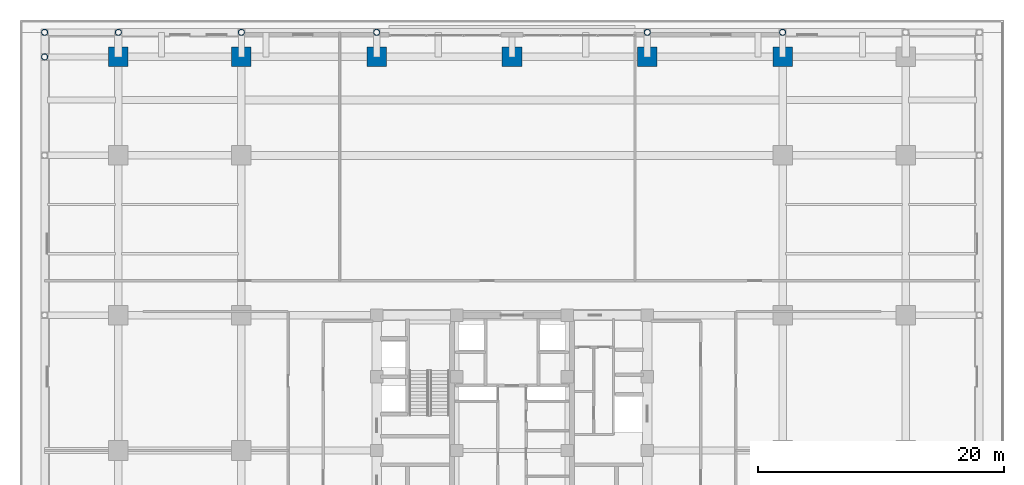
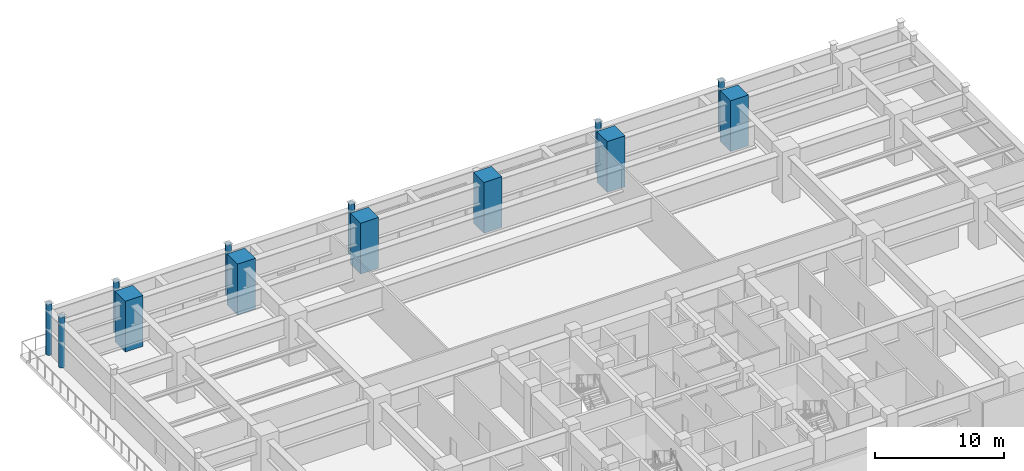
# One storey, part 4 of 35: 13 columns.
"""IFC4 building model written with IfcOpenShell, lengths in metres."""

from ifc_helpers import new_model, si_unit, direction, frame, origin, origin_2d, place, context, subcontext, project, spatial, rectangle, hollow_circle, extrude, source, transform, mapped, material, material_profile, profile_set, type_object, element, save


model = new_model("IFC4")

# Units and contexts
model_context = context("Model", 3, precision=1e-05, world=origin(), true_north=direction((0.0, 1.0)))
body_context = subcontext(model_context, "Body", "Model", "MODEL_VIEW")
ifc_project = project(units=[si_unit("LENGTHUNIT", "METRE"), si_unit("AREAUNIT", "SQUARE_METRE"), si_unit("VOLUMEUNIT", "CUBIC_METRE"), si_unit("PLANEANGLEUNIT", "RADIAN"), si_unit("MASSUNIT", "GRAM", prefix="KILO")], contexts=[model_context])

# Site, building, storey
site_placement = place(None, origin())
site = spatial("IfcSite", under=ifc_project, at=site_placement, CompositionType="ELEMENT")
building_placement = place(site_placement, origin())
building = spatial("IfcBuilding", under=site, at=building_placement, Name="Khorayat Bourse Tower", CompositionType="ELEMENT")
storey_placement = place(building_placement, frame((0.0, 0.0, 22.199951171875)))
storey = spatial("IfcBuildingStorey", under=building, at=storey_placement, Name="L04", CompositionType="ELEMENT", Elevation=22.199951171875)

# Columns
ifc_material_1 = material(Name="Concrete C72/90", Category="concrete")
ifc_material_profile_1 = material_profile(ifc_material_1, rectangle(XDim=1.60009765625, YDim=1.60009765625, at=origin_2d()), Name="RC 1600x1600")
ifc_profile_set_1 = profile_set([ifc_material_profile_1], Name="Concrete C72/90")
column_type_1 = type_object("IfcColumnType", Name="COL-MEGA-1600", PredefinedType="COLUMN", material=ifc_profile_set_1)
shared_shape_1 = source(origin(), body_context, "Body", "SweptSolid", [
    extrude(rectangle(XDim=1.60009765625, YDim=1.60009765625, at=origin_2d()), origin(), (0.0, 0.0, 1.0), 4.800048828125),
])
for number, where, z_axis, x_axis, name in (
    (1, (-32.0, 32.0, 0.0), (0.0, 0.0, 1.0), (1.0, 0.0, 0.0), "L04 Column 014"),
    (2, (-22.0, 32.0, 0.0), (0.0, 0.0, 1.0), (1.0, 0.0, 0.0), "L04 Column 023"),
    (3, (-11.0, 32.0, 0.0), (0.0, 0.0, 1.0), (1.0, 0.0, 0.0), "L04 Column 032"),
    (4, (0.0, 32.0, 0.0), (0.0, 0.0, 1.0), (1.0, 0.0, 0.0), "L04 Column 040"),
    (5, (11.0, 32.0, 0.0), (0.0, 0.0, 1.0), (1.0, 0.0, 0.0), "L04 Column 053"),
    (6, (22.0, 32.0, 0.0), (0.0, 0.0, 1.0), (1.0, 0.0, 0.0), "L04 Column 062"),
):
    element("IfcColumn", number, at=place(storey_placement, frame(where, z_axis=z_axis, x_axis=x_axis)), inside=storey, type_object=column_type_1, Name=name, PredefinedType="COLUMN", context=body_context, shape_type="MappedRepresentation", body=[
        mapped(shared_shape_1, transform((0.0, 0.0, 0.0), scale=1.0)),
    ])
ifc_material_2 = material(Name="Steel EN 10025-2 S355J2", Category="steel")
ifc_material_profile_2 = material_profile(ifc_material_2, hollow_circle(Radius=0.25390625, WallThickness=0.02490234375, at=origin_2d()), Name="CHS 508x25")
ifc_profile_set_2 = profile_set([ifc_material_profile_2], Name="Steel EN 10025-2 S355J2")
column_type_2 = type_object("IfcColumnType", Name="COL-POD-CHS508", PredefinedType="COLUMN", material=ifc_profile_set_2)
shared_shape_2 = source(origin(), body_context, "Body", "SweptSolid", [
    extrude(hollow_circle(Radius=0.25390625, WallThickness=0.02490234375, at=origin_2d()), origin(), (0.0, 0.0, 1.0), 4.800048828125),
])
for number, where, z_axis, x_axis, name in (
    (7, (-38.0, 34.0, 0.0), (0.0, 0.0, 1.0), (1.0, 0.0, 0.0), "L04 Column 006"),
    (8, (-32.0, 34.0, 0.0), (0.0, 0.0, 1.0), (1.0, 0.0, 0.0), "L04 Column 015"),
    (9, (-22.0, 34.0, 0.0), (0.0, 0.0, 1.0), (1.0, 0.0, 0.0), "L04 Column 024"),
    (10, (-11.0, 34.0, 0.0), (0.0, 0.0, 1.0), (1.0, 0.0, 0.0), "L04 Column 033"),
    (11, (11.0, 34.0, 0.0), (0.0, 0.0, 1.0), (1.0, 0.0, 0.0), "L04 Column 054"),
    (12, (22.0, 34.0, 0.0), (0.0, 0.0, 1.0), (1.0, 0.0, 0.0), "L04 Column 063"),
    (13, (-38.0, 32.0, 0.0), (0.0, 0.0, 1.0), (1.0, 0.0, 0.0), "L04 Perimeter Step Column 2"),
):
    element("IfcColumn", number, at=place(storey_placement, frame(where, z_axis=z_axis, x_axis=x_axis)), inside=storey, type_object=column_type_2, Name=name, PredefinedType="COLUMN", context=body_context, shape_type="MappedRepresentation", body=[
        mapped(shared_shape_2, transform((0.0, 0.0, 0.0), scale=1.0)),
    ])

save(model, "model.ifc")
